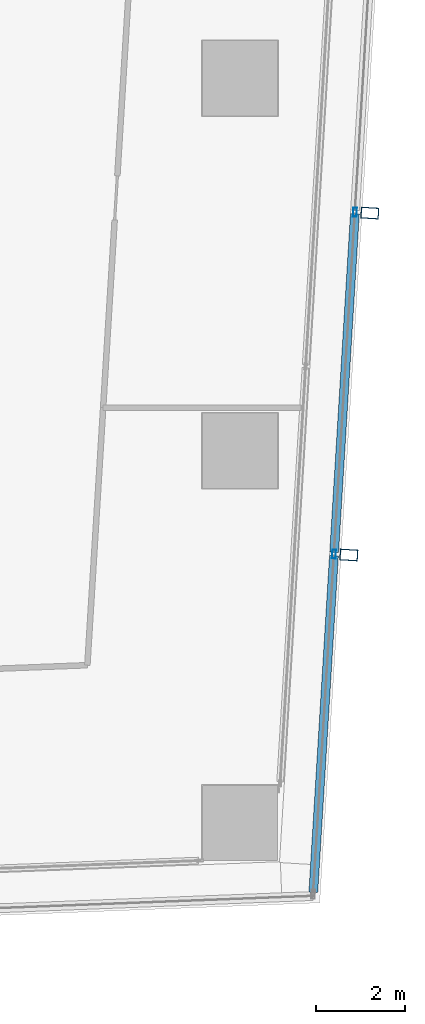
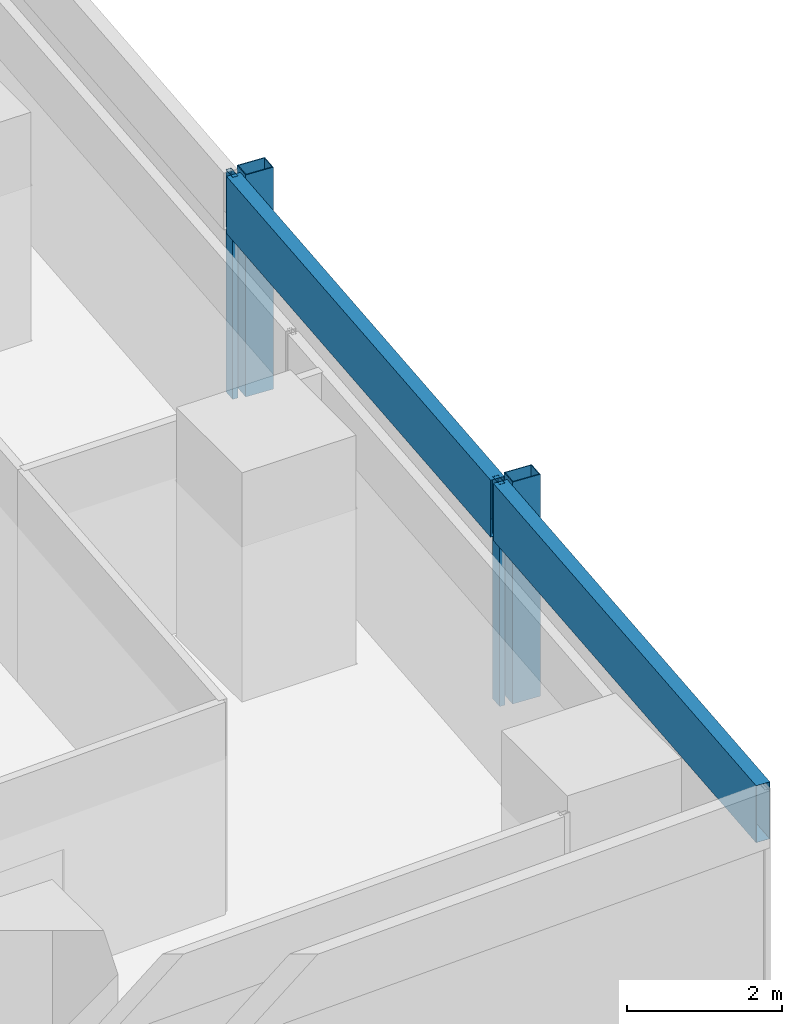
# One storey, part 23 of 40: 6 members, 1 element without a shape of its own.
"""IFC4 building model written with IfcOpenShell, lengths in metres."""

from ifc_helpers import new_model, si_unit, direction, frame, origin, origin_2d, place, context, subcontext, project, spatial, hollow_rectangle, extrude, material, material_profile, profile_set, type_object, element, aggregate, save


model = new_model("IFC4")

# Units and contexts
model_context = context("Model", 3, precision=1e-05, world=origin(), true_north=direction((0.0, 1.0)))
body_context = subcontext(model_context, "Body", "Model", "MODEL_VIEW")
ifc_project = project(units=[si_unit("LENGTHUNIT", "METRE"), si_unit("AREAUNIT", "SQUARE_METRE"), si_unit("VOLUMEUNIT", "CUBIC_METRE"), si_unit("PLANEANGLEUNIT", "RADIAN"), si_unit("MASSUNIT", "GRAM", prefix="KILO")], contexts=[model_context])

# Site, building, storey
site_placement = place(None, origin())
site = spatial("IfcSite", under=ifc_project, at=site_placement, CompositionType="ELEMENT")
building_placement = place(site_placement, origin())
building = spatial("IfcBuilding", under=site, at=building_placement, Name="Rekha Terrace Tower", CompositionType="ELEMENT")
storey_placement = place(building_placement, frame((0.0, 0.0, 102.800048828125)))
storey = spatial("IfcBuildingStorey", under=building, at=storey_placement, Name="L25", CompositionType="ELEMENT", Elevation=102.800048828125)

# Curtain wall, members
ifc_material_1 = material(Name="Aluminium framing", Category="aluminium")
curtain_wall_type = type_object("IfcCurtainWallType", Name="CW2 double skin outer glazing", PredefinedType="USERDEFINED", material=ifc_material_1)
curtain_wall_placement = place(storey_placement, origin())
curtain_wall = element("IfcCurtainWall", 1, at=curtain_wall_placement, inside=storey, type_object=curtain_wall_type, Name="CW2 double skin outer glazing", ObjectType="DOUBLE SKIN OUTER GLAZING", PredefinedType="USERDEFINED")
ifc_material_2 = material(Name="Steel S355 with fluorocarbon finish", Category="steel")
ifc_material_profile_1 = material_profile(ifc_material_2, hollow_rectangle(XDim=0.25, YDim=0.39990234375, WallThickness=0.012451171875, at=origin_2d()), Name="RHS400x250x12.5")
ifc_profile_set_1 = profile_set([ifc_material_profile_1], Name="Steel S355 with fluorocarbon finish")
member_type_1 = type_object("IfcMemberType", Name="BL1 facade blade RHS 400 x 250", PredefinedType="USERDEFINED", material=ifc_profile_set_1)
member_1_placement = place(storey_placement, frame((69.656005859375, 22.845703125, 0.0), z_axis=(0.0, 0.0, 1.0), x_axis=(0.061160031881, 0.998127973008, 0.0)))
member_1 = element("IfcMember", 2, at=member_1_placement, type_object=member_type_1, Name="Facade blade", ObjectType="FACADE BLADE", PredefinedType="USERDEFINED", context=body_context, shape_type="SweptSolid", body=[
    extrude(hollow_rectangle(XDim=0.25, YDim=0.39990234375, WallThickness=0.012451171875, at=origin_2d()), origin(), (0.0, 0.0, 1.0), 3.5),
])
member_2_placement = place(storey_placement, frame((70.128662109375, 30.557861328125, 0.0), z_axis=(0.0, 0.0, 1.0), x_axis=(0.061160031881, 0.998127973008, 0.0)))
member_2 = element("IfcMember", 3, at=member_2_placement, type_object=member_type_1, Name="Facade blade", ObjectType="FACADE BLADE", PredefinedType="USERDEFINED", context=body_context, shape_type="SweptSolid", body=[
    extrude(hollow_rectangle(XDim=0.25, YDim=0.39990234375, WallThickness=0.012451171875, at=origin_2d()), origin(), (0.0, 0.0, 1.0), 3.5),
])
ifc_material_3 = material(Name="Aluminium mullion section", Category="aluminium")
ifc_material_profile_2 = material_profile(ifc_material_3, hollow_rectangle(XDim=0.080078125, YDim=0.199951171875, WallThickness=0.00390625, at=origin_2d()), Name="AL RHS 80x200")
ifc_profile_set_2 = profile_set([ifc_material_profile_2], Name="Aluminium mullion section")
member_type_2 = type_object("IfcMemberType", Name="CW2 mullion RHS 80 x 200", PredefinedType="MULLION", material=ifc_profile_set_2)
member_3_placement = place(storey_placement, frame((69.32177734375, 22.8662109375, 0.0), z_axis=(0.0, 0.0, 1.0), x_axis=(-0.998127987024, 0.061159803131, 0.0)))
member_3 = element("IfcMember", 4, at=member_3_placement, type_object=member_type_2, Name="CW2 mullion 2", PredefinedType="MULLION", context=body_context, shape_type="SweptSolid", body=[
    extrude(hollow_rectangle(XDim=0.080078125, YDim=0.199951171875, WallThickness=0.00390625, at=origin_2d()), origin(), (0.0, 0.0, 1.0), 3.5),
])
member_4_placement = place(storey_placement, frame((69.794189453125, 30.578369140625, 0.0), z_axis=(0.0, 0.0, 1.0), x_axis=(-0.998127987024, 0.061159803131, 0.0)))
member_4 = element("IfcMember", 5, at=member_4_placement, type_object=member_type_2, Name="CW2 mullion 3", PredefinedType="MULLION", context=body_context, shape_type="SweptSolid", body=[
    extrude(hollow_rectangle(XDim=0.080078125, YDim=0.199951171875, WallThickness=0.00390625, at=origin_2d()), origin(), (0.0, 0.0, 1.0), 3.5),
])
ifc_material_4 = material(Name="Insulated aluminium spandrel box", Category="aluminium")
ifc_material_profile_3 = material_profile(ifc_material_4, hollow_rectangle(XDim=0.199951171875, YDim=0.89990234375, WallThickness=0.0029296875, at=origin_2d()), Name="AL SPANDREL BOX 200x900")
ifc_profile_set_3 = profile_set([ifc_material_profile_3], Name="Insulated aluminium spandrel box")
member_type_3 = type_object("IfcMemberType", Name="CW2 spandrel transom 200 x 900", PredefinedType="USERDEFINED", material=ifc_profile_set_3)
member_5_placement = place(storey_placement, frame((68.85400390625, 15.234130859375, 3.050048828125), z_axis=(0.061175320944, 0.998127036057, 0.0), x_axis=(-0.998127036057, 0.061175320944, 0.0)))
member_5 = element("IfcMember", 6, at=member_5_placement, type_object=member_type_3, Name="CW2 spandrel transom 1", ObjectType="TRANSOM", PredefinedType="USERDEFINED", context=body_context, shape_type="SweptSolid", body=[
    extrude(hollow_rectangle(XDim=0.199951171875, YDim=0.89990234375, WallThickness=0.0029296875, at=origin_2d()), origin(), (0.0, 0.0, 1.0), 7.6064453125),
])
member_6_placement = place(storey_placement, frame((69.32421875, 22.90625, 3.050048828125), z_axis=(0.061141871886, 0.998129085591, 0.0), x_axis=(-0.998129085591, 0.061141871886, 0.0)))
member_6 = element("IfcMember", 7, at=member_6_placement, type_object=member_type_3, Name="CW2 spandrel transom 2", ObjectType="TRANSOM", PredefinedType="USERDEFINED", context=body_context, shape_type="SweptSolid", body=[
    extrude(hollow_rectangle(XDim=0.199951171875, YDim=0.89990234375, WallThickness=0.0029296875, at=origin_2d()), origin(), (0.0, 0.0, 1.0), 7.646728515625),
])
aggregate(curtain_wall, [member_3, member_4, member_5, member_6, member_1, member_2])

save(model, "model.ifc")
